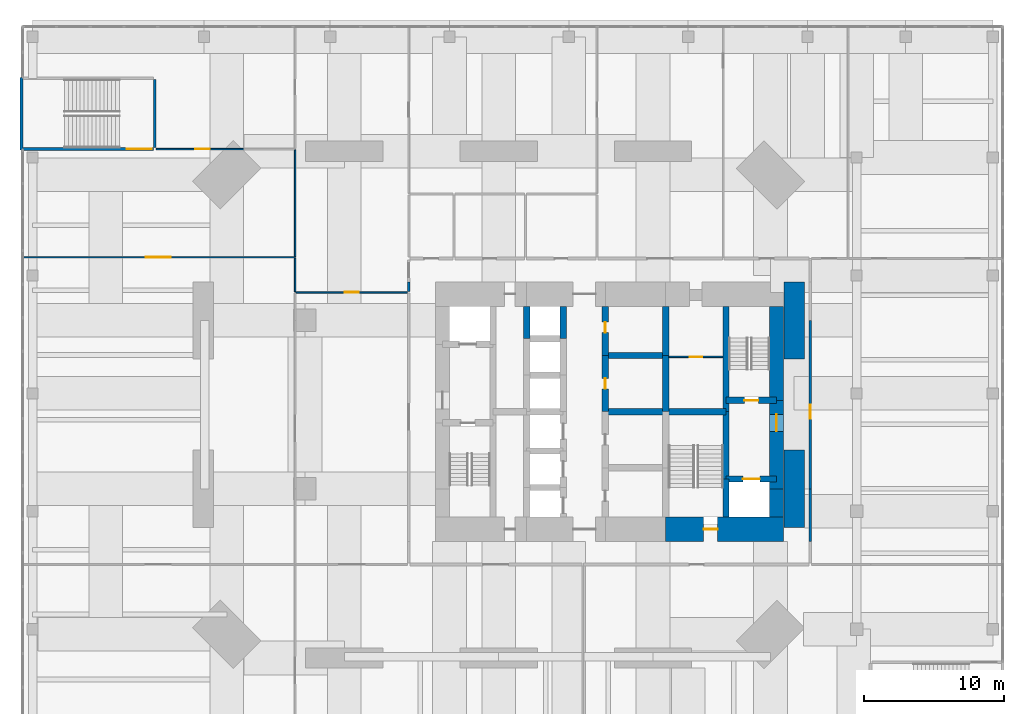
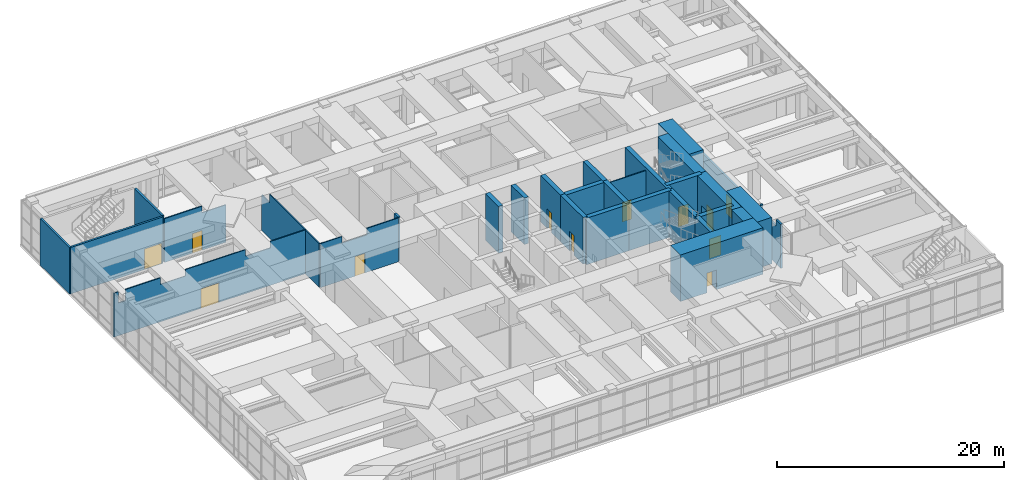
# One storey, part 20 of 24: 32 walls, 12 doors, 12 openings.
"""IFC4 building model written with IfcOpenShell, lengths in metres."""

from ifc_helpers import new_model, si_unit, direction, frame, frame_2d, origin, place, context, subcontext, project, spatial, polyline, rectangle, outline, extrude, material, layer, layer_set, constituent, constituent_set, type_object, element, fill, save


model = new_model("IFC4")

# Units and contexts
model_context = context("Model", 3, precision=1e-05, world=origin(), true_north=direction((0.0, 1.0)))
body_context = subcontext(model_context, "Body", "Model", "MODEL_VIEW")
ifc_project = project(units=[si_unit("LENGTHUNIT", "METRE"), si_unit("AREAUNIT", "SQUARE_METRE"), si_unit("VOLUMEUNIT", "CUBIC_METRE"), si_unit("PLANEANGLEUNIT", "RADIAN"), si_unit("MASSUNIT", "GRAM", prefix="KILO")], contexts=[model_context])

# Site, building, storey
site_placement = place(None, origin())
site = spatial("IfcSite", under=ifc_project, at=site_placement, CompositionType="ELEMENT")
building_placement = place(site_placement, origin())
building = spatial("IfcBuilding", under=site, at=building_placement, Name="Jalousie Tower", CompositionType="ELEMENT")
storey_placement = place(building_placement, frame((0.0, 0.0, 11.0)))
storey = spatial("IfcBuildingStorey", under=building, at=storey_placement, Name="L02", CompositionType="ELEMENT", Elevation=11.0)

# Wall
ifc_material_1 = material(Name="Concrete f'c 120 MPa", Category="concrete")
ifc_layer_1 = layer(ifc_material_1, 1.0)
ifc_layer_set_1 = layer_set([ifc_layer_1], Name="Concrete f'c 120 MPa")
wall_type_1 = type_object("IfcWallType", Name="CORE WALL 1000", PredefinedType="SHEAR", material=ifc_layer_set_1)
wall_1_placement = place(storey_placement, frame((43.800048828125, 11.0, 0.0), z_axis=(0.0, 0.0, 1.0), x_axis=(0.0, 1.0, 0.0)))
element("IfcWall", 1, at=wall_1_placement, inside=storey, type_object=wall_type_1, Name="Core wall EA L02", PredefinedType="SHEAR", context=body_context, shape_type="SweptSolid", body=[
    extrude(rectangle(XDim=2.0, YDim=1.0, at=frame_2d((1.0, 0.0))), origin(), (0.0, 0.0, 1.0), 5.0),
])

# Wall, opening, door
wall_2_placement = place(storey_placement, frame((43.800048828125, 13.0, 0.0), z_axis=(0.0, 0.0, 1.0), x_axis=(0.0, 1.0, 0.0)))
wall_2 = element("IfcWall", 2, at=wall_2_placement, inside=storey, type_object=wall_type_1, Name="Core wall EB L02", PredefinedType="SHEAR", context=body_context, shape_type="SweptSolid", body=[
    extrude(rectangle(XDim=6.300048828125, YDim=1.0, at=frame_2d((3.14990234375, 0.0))), origin(), (0.0, 0.0, 1.0), 5.0),
])
opening_1_placement = place(wall_2_placement, frame((4.10009765625, 0.0, 0.0)))
opening_1 = element("IfcOpeningElement", 3, at=opening_1_placement, cuts=wall_2, Name="Opening D11", PredefinedType="OPENING", context=body_context, shape_type="SweptSolid", body=[
    extrude(rectangle(XDim=1.199951171875, YDim=2.199951171875, at=frame_2d((0.60009765625, 1.10009765625))), frame((0.0, 0.510009765625, 0.0), z_axis=(0.0, -1.0, 0.0), x_axis=(1.0, 0.0, 0.0)), (0.0, 0.0, 1.0), 1.02001953125),
])
ifc_material_2 = material(Name="Steel fire door", Category="steel")
door_type_1 = type_object("IfcDoorType", Name="FIRE DOOR 1200", OperationType="SINGLE_SWING_LEFT", PredefinedType="DOOR", material=ifc_material_2)
door_1_placement = place(opening_1_placement, origin())
door_1 = element("IfcDoor", 4, at=door_1_placement, inside=storey, type_object=door_type_1, Name="Fire-fighting lobby B door", OperationType="SINGLE_SWING_RIGHT", OverallHeight=2.199951171875, OverallWidth=1.199951171875, PredefinedType="DOOR", context=body_context, shape_type="SweptSolid", body=[
    extrude(rectangle(XDim=1.199951171875, YDim=2.199951171875, at=frame_2d((0.60009765625, 1.10009765625))), frame((0.0, 0.02490234375, 0.0), z_axis=(0.0, -1.0, 0.0), x_axis=(1.0, 0.0, 0.0)), (0.0, 0.0, 1.0), 0.050048828125),
])
fill(opening_1, door_1)

# Wall
wall_3_placement = place(storey_placement, frame((43.800048828125, 19.300048828125, 0.0), z_axis=(0.0, 0.0, 1.0), x_axis=(0.0, 1.0, 0.0)))
element("IfcWall", 5, at=wall_3_placement, inside=storey, type_object=wall_type_1, Name="Core wall EC L02", PredefinedType="SHEAR", context=body_context, shape_type="SweptSolid", body=[
    extrude(rectangle(XDim=6.699951171875, YDim=1.0, at=frame_2d((3.35009765625, 0.0))), origin(), (0.0, 0.0, 1.0), 5.0),
])

# Wall, opening, door
ifc_material_3 = material(Name="Concrete f'c 120 MPa", Category="concrete")
ifc_layer_2 = layer(ifc_material_3, 1.75)
ifc_layer_set_2 = layer_set([ifc_layer_2], Name="Concrete f'c 120 MPa")
wall_type_2 = type_object("IfcWallType", Name="CORE WALL 1750", PredefinedType="SHEAR", material=ifc_layer_set_2)
wall_4_placement = place(storey_placement, frame((35.89990234375, 10.125, 0.0), z_axis=(0.0, 0.0, 1.0), x_axis=(1.0, 0.0, 0.0)))
wall_4 = element("IfcWall", 6, at=wall_4_placement, inside=storey, type_object=wall_type_2, Name="Core wall SD L02", PredefinedType="SHEAR", context=body_context, shape_type="SweptSolid", body=[
    extrude(rectangle(XDim=8.400146484375, YDim=1.75, at=frame_2d((4.2001953125, 0.0))), origin(), (0.0, 0.0, 1.0), 5.0),
])
opening_2_placement = place(wall_4_placement, frame((2.699951171875, 0.0, 0.0)))
opening_2 = element("IfcOpeningElement", 7, at=opening_2_placement, cuts=wall_4, Name="Opening D10", PredefinedType="OPENING", context=body_context, shape_type="SweptSolid", body=[
    extrude(rectangle(XDim=1.0, YDim=2.10009765625, at=frame_2d((0.5, 1.050048828125))), frame((0.0, 0.885009765625, 0.0), z_axis=(0.0, -1.0, 0.0), x_axis=(1.0, 0.0, 0.0)), (0.0, 0.0, 1.0), 1.77001953125),
])
ifc_material_4 = material(Name="Steel fire door", Category="steel")
door_type_2 = type_object("IfcDoorType", Name="STAIR DOOR 1000", OperationType="SINGLE_SWING_LEFT", PredefinedType="DOOR", material=ifc_material_4)
door_2_placement = place(opening_2_placement, origin())
door_2 = element("IfcDoor", 8, at=door_2_placement, inside=storey, type_object=door_type_2, Name="Exit stair C door", OperationType="SINGLE_SWING_RIGHT", OverallHeight=2.10009765625, OverallWidth=1.0, PredefinedType="DOOR", context=body_context, shape_type="SweptSolid", body=[
    extrude(rectangle(XDim=1.0, YDim=2.10009765625, at=frame_2d((0.5, 1.050048828125))), frame((0.0, 0.02490234375, 0.0), z_axis=(0.0, -1.0, 0.0), x_axis=(1.0, 0.0, 0.0)), (0.0, 0.0, 1.0), 0.050048828125),
])
fill(opening_2, door_2)

# Walls
ifc_material_5 = material(Name="Concrete f'c 120 MPa", Category="concrete")
ifc_layer_3 = layer(ifc_material_5, 0.449951171875)
ifc_layer_set_3 = layer_set([ifc_layer_3], Name="Concrete f'c 120 MPa")
wall_type_3 = type_object("IfcWallType", Name="CORE WALL 450", PredefinedType="SHEAR", material=ifc_layer_set_3)
for number, where, z_axis, x_axis, name in (
    (9, (26.0, 23.699951171875, 0.0), (0.0, 0.0, 1.0), (0.0, 1.0, 0.0), "Core wall X26F L02"),
    (10, (28.60009765625, 23.699951171875, 0.0), (0.0, 0.0, 1.0), (0.0, 1.0, 0.0), "Core wall X28.6F L02"),
):
    element("IfcWall", number, at=place(storey_placement, frame(where, z_axis=z_axis, x_axis=x_axis)), inside=storey, type_object=wall_type_3, Name=name, PredefinedType="SHEAR", context=body_context, shape_type="SweptSolid", body=[
        extrude(rectangle(XDim=2.300048828125, YDim=0.449951171875, at=frame_2d((1.14990234375, 0.0))), origin(), (0.0, 0.0, 1.0), 5.0),
    ])

# Wall, opening, door
wall_5_placement = place(storey_placement, frame((31.60009765625, 18.5, 0.0), z_axis=(0.0, 0.0, 1.0), x_axis=(0.0, 1.0, 0.0)))
wall_5 = element("IfcWall", 11, at=wall_5_placement, inside=storey, type_object=wall_type_3, Name="Core wall X31.6C L02", PredefinedType="SHEAR", context=body_context, shape_type="SweptSolid", body=[
    extrude(rectangle(XDim=4.0, YDim=0.449951171875, at=frame_2d((2.0, 0.0))), origin(), (0.0, 0.0, 1.0), 5.0),
])
opening_3_placement = place(wall_5_placement, frame((1.625, 0.0, 0.0)))
opening_3 = element("IfcOpeningElement", 12, at=opening_3_placement, cuts=wall_5, Name="Opening D16", PredefinedType="OPENING", context=body_context, shape_type="SweptSolid", body=[
    extrude(rectangle(XDim=0.75, YDim=2.10009765625, at=frame_2d((0.375, 1.050048828125))), frame((0.0, 0.23486328125, 0.0), z_axis=(0.0, -1.0, 0.0), x_axis=(1.0, 0.0, 0.0)), (0.0, 0.0, 1.0), 0.469970703125),
])
ifc_material_6 = material(Name="Steel fire door", Category="steel")
door_type_3 = type_object("IfcDoorType", Name="RISER DOOR 750", OperationType="SINGLE_SWING_LEFT", PredefinedType="DOOR", material=ifc_material_6)
door_3_placement = place(opening_3_placement, frame((0.75, 0.0, 0.0), z_axis=(0.0, 0.0, 1.0), x_axis=(-1.0, 0.0, 0.0)))
door_3 = element("IfcDoor", 13, at=door_3_placement, inside=storey, type_object=door_type_3, Name="Telecom Room door", OperationType="SINGLE_SWING_RIGHT", OverallHeight=2.10009765625, OverallWidth=0.75, PredefinedType="DOOR", context=body_context, shape_type="SweptSolid", body=[
    extrude(rectangle(XDim=0.75, YDim=2.10009765625, at=frame_2d((0.375, 1.050048828125))), frame((0.0, 0.02490234375, 0.0), z_axis=(0.0, -1.0, 0.0), x_axis=(1.0, 0.0, 0.0)), (0.0, 0.0, 1.0), 0.050048828125),
])
fill(opening_3, door_3)

wall_6_placement = place(storey_placement, frame((31.60009765625, 22.5, 0.0), z_axis=(0.0, 0.0, 1.0), x_axis=(0.0, 1.0, 0.0)))
wall_6 = element("IfcWall", 14, at=wall_6_placement, inside=storey, type_object=wall_type_3, Name="Core wall X31.6D L02", PredefinedType="SHEAR", context=body_context, shape_type="SweptSolid", body=[
    extrude(rectangle(XDim=3.5, YDim=0.449951171875, at=frame_2d((1.75, 0.0))), origin(), (0.0, 0.0, 1.0), 5.0),
])
opening_4_placement = place(wall_6_placement, frame((1.625, 0.0, 0.0)))
opening_4 = element("IfcOpeningElement", 15, at=opening_4_placement, cuts=wall_6, Name="Opening D16", PredefinedType="OPENING", context=body_context, shape_type="SweptSolid", body=[
    extrude(rectangle(XDim=0.75, YDim=2.10009765625, at=frame_2d((0.375, 1.050048828125))), frame((0.0, 0.23486328125, 0.0), z_axis=(0.0, -1.0, 0.0), x_axis=(1.0, 0.0, 0.0)), (0.0, 0.0, 1.0), 0.469970703125),
])
door_4_placement = place(opening_4_placement, frame((0.75, 0.0, 0.0), z_axis=(0.0, 0.0, 1.0), x_axis=(-1.0, 0.0, 0.0)))
door_4 = element("IfcDoor", 16, at=door_4_placement, inside=storey, type_object=door_type_3, Name="Water Services Room door", OperationType="SINGLE_SWING_LEFT", OverallHeight=2.10009765625, OverallWidth=0.75, PredefinedType="DOOR", context=body_context, shape_type="SweptSolid", body=[
    extrude(rectangle(XDim=0.75, YDim=2.10009765625, at=frame_2d((0.375, 1.050048828125))), frame((0.0, 0.02490234375, 0.0), z_axis=(0.0, -1.0, 0.0), x_axis=(1.0, 0.0, 0.0)), (0.0, 0.0, 1.0), 0.050048828125),
])
fill(opening_4, door_4)

# Walls
wall_7_placement = place(storey_placement, frame((35.89990234375, 18.5, 0.0), z_axis=(0.0, 0.0, 1.0), x_axis=(0.0, 1.0, 0.0)))
element("IfcWall", 17, at=wall_7_placement, inside=storey, type_object=wall_type_3, Name="Core wall X35.9C L02", PredefinedType="SHEAR", context=body_context, shape_type="SweptSolid", body=[
    extrude(rectangle(XDim=4.0, YDim=0.449951171875, at=frame_2d((2.0, 0.0))), origin(), (0.0, 0.0, 1.0), 5.0),
])
wall_8_placement = place(storey_placement, frame((35.89990234375, 22.5, 0.0), z_axis=(0.0, 0.0, 1.0), x_axis=(0.0, 1.0, 0.0)))
element("IfcWall", 18, at=wall_8_placement, inside=storey, type_object=wall_type_3, Name="Core wall X35.9D L02", PredefinedType="SHEAR", context=body_context, shape_type="SweptSolid", body=[
    extrude(rectangle(XDim=3.5, YDim=0.449951171875, at=frame_2d((1.75, 0.0))), origin(), (0.0, 0.0, 1.0), 5.0),
])
wall_9_placement = place(storey_placement, frame((40.199951171875, 11.0, 0.0), z_axis=(0.0, 0.0, 1.0), x_axis=(0.0, 1.0, 0.0)))
element("IfcWall", 19, at=wall_9_placement, inside=storey, type_object=wall_type_3, Name="Core wall X40.2A L02", PredefinedType="SHEAR", context=body_context, shape_type="SweptSolid", body=[
    extrude(rectangle(XDim=2.699951171875, YDim=0.449951171875, at=frame_2d((1.35009765625, 0.0))), origin(), (0.0, 0.0, 1.0), 5.0),
])
wall_10_placement = place(storey_placement, frame((40.199951171875, 13.699951171875, 0.0), z_axis=(0.0, 0.0, 1.0), x_axis=(0.0, 1.0, 0.0)))
element("IfcWall", 20, at=wall_10_placement, inside=storey, type_object=wall_type_3, Name="Core wall X40.2B L02", PredefinedType="SHEAR", context=body_context, shape_type="SweptSolid", body=[
    extrude(rectangle(XDim=4.800048828125, YDim=0.449951171875, at=frame_2d((2.39990234375, 0.0))), origin(), (0.0, 0.0, 1.0), 5.0),
])
wall_11_placement = place(storey_placement, frame((40.199951171875, 18.5, 0.0), z_axis=(0.0, 0.0, 1.0), x_axis=(0.0, 1.0, 0.0)))
element("IfcWall", 21, at=wall_11_placement, inside=storey, type_object=wall_type_3, Name="Core wall X40.2C L02", PredefinedType="SHEAR", context=body_context, shape_type="SweptSolid", body=[
    extrude(rectangle(XDim=7.5, YDim=0.449951171875, at=frame_2d((3.75, 0.0))), origin(), (0.0, 0.0, 1.0), 5.0),
])
for number, where, z_axis, x_axis, name in (
    (22, (31.60009765625, 18.5, 0.0), (0.0, 0.0, 1.0), (1.0, 0.0, 0.0), "Core wall Y31.6-18.5 L02"),
    (23, (31.60009765625, 22.5, 0.0), (0.0, 0.0, 1.0), (1.0, 0.0, 0.0), "Core wall Y31.6-22.5 L02"),
):
    element("IfcWall", number, at=place(storey_placement, frame(where, z_axis=z_axis, x_axis=x_axis)), inside=storey, type_object=wall_type_3, Name=name, PredefinedType="SHEAR", context=body_context, shape_type="SweptSolid", body=[
        extrude(rectangle(XDim=4.2998046875, YDim=0.449951171875, at=frame_2d((2.14990234375, 0.0))), origin(), (0.0, 0.0, 1.0), 5.0),
    ])
wall_12_placement = place(storey_placement, frame((35.89990234375, 18.5, 0.0), z_axis=(0.0, 0.0, 1.0), x_axis=(1.0, 0.0, 0.0)))
element("IfcWall", 24, at=wall_12_placement, inside=storey, type_object=wall_type_3, Name="Core wall Y35.9-18.5 L02", PredefinedType="SHEAR", context=body_context, shape_type="SweptSolid", body=[
    extrude(rectangle(XDim=4.300048828125, YDim=0.449951171875, at=frame_2d((2.14990234375, 0.0))), origin(), (0.0, 0.0, 1.0), 5.0),
])

# Wall, opening, door
wall_13_placement = place(storey_placement, frame((40.199951171875, 13.699951171875, 0.0), z_axis=(0.0, 0.0, 1.0), x_axis=(1.0, 0.0, 0.0)))
wall_13 = element("IfcWall", 25, at=wall_13_placement, inside=storey, type_object=wall_type_3, Name="Core wall Y40.2-13.7 L02", PredefinedType="SHEAR", context=body_context, shape_type="SweptSolid", body=[
    extrude(rectangle(XDim=3.60009765625, YDim=0.449951171875, at=frame_2d((1.800048828125, 0.0))), origin(), (0.0, 0.0, 1.0), 5.0),
])
opening_5_placement = place(wall_13_placement, frame((1.199951171875, 0.0, 0.0)))
opening_5 = element("IfcOpeningElement", 26, at=opening_5_placement, cuts=wall_13, Name="Opening LD2", PredefinedType="OPENING", context=body_context, shape_type="SweptSolid", body=[
    extrude(rectangle(XDim=1.199951171875, YDim=2.10009765625, at=frame_2d((0.60009765625, 1.050048828125))), frame((0.0, 0.23486328125, 0.0), z_axis=(0.0, -1.0, 0.0), x_axis=(1.0, 0.0, 0.0)), (0.0, 0.0, 1.0), 0.469970703125),
])
ifc_material_7 = material(Name="Steel lift landing door", Category="steel")
door_type_4 = type_object("IfcDoorType", Name="LIFT LANDING DOOR 1200", OperationType="SLIDING_TO_LEFT", PredefinedType="DOOR", material=ifc_material_7)
door_5_placement = place(opening_5_placement, origin())
door_5 = element("IfcDoor", 27, at=door_5_placement, inside=storey, type_object=door_type_4, Name="Lift F2 landing door", OperationType="SLIDING_TO_LEFT", OverallHeight=2.10009765625, OverallWidth=1.199951171875, PredefinedType="DOOR", context=body_context, shape_type="SweptSolid", body=[
    extrude(rectangle(XDim=1.199951171875, YDim=2.10009765625, at=frame_2d((0.60009765625, 1.050048828125))), frame((0.0, 0.02490234375, 0.0), z_axis=(0.0, -1.0, 0.0), x_axis=(1.0, 0.0, 0.0)), (0.0, 0.0, 1.0), 0.050048828125),
])
fill(opening_5, door_5)

wall_14_placement = place(storey_placement, frame((40.199951171875, 19.300048828125, 0.0), z_axis=(0.0, 0.0, 1.0), x_axis=(1.0, 0.0, 0.0)))
wall_14 = element("IfcWall", 28, at=wall_14_placement, inside=storey, type_object=wall_type_3, Name="Core wall Y40.2-19.3 L02", PredefinedType="SHEAR", context=body_context, shape_type="SweptSolid", body=[
    extrude(rectangle(XDim=3.60009765625, YDim=0.449951171875, at=frame_2d((1.800048828125, 0.0))), origin(), (0.0, 0.0, 1.0), 5.0),
])
opening_6_placement = place(wall_14_placement, frame((1.300048828125, 0.0, 0.0)))
opening_6 = element("IfcOpeningElement", 29, at=opening_6_placement, cuts=wall_14, Name="Opening D10", PredefinedType="OPENING", context=body_context, shape_type="SweptSolid", body=[
    extrude(rectangle(XDim=1.0, YDim=2.10009765625, at=frame_2d((0.5, 1.050048828125))), frame((0.0, 0.23486328125, 0.0), z_axis=(0.0, -1.0, 0.0), x_axis=(1.0, 0.0, 0.0)), (0.0, 0.0, 1.0), 0.469970703125),
])
door_6_placement = place(opening_6_placement, origin())
door_6 = element("IfcDoor", 30, at=door_6_placement, inside=storey, type_object=door_type_2, Name="Exit stair B door", OperationType="SINGLE_SWING_RIGHT", OverallHeight=2.10009765625, OverallWidth=1.0, PredefinedType="DOOR", context=body_context, shape_type="SweptSolid", body=[
    extrude(rectangle(XDim=1.0, YDim=2.10009765625, at=frame_2d((0.5, 1.050048828125))), frame((0.0, 0.02490234375, 0.0), z_axis=(0.0, -1.0, 0.0), x_axis=(1.0, 0.0, 0.0)), (0.0, 0.0, 1.0), 0.050048828125),
])
fill(opening_6, door_6)

# Walls
ifc_material_8 = material(Name="Concrete block ASTM C90", Category="concrete")
ifc_constituent_1 = constituent(ifc_material_8, Name="Body")
ifc_material_9 = material(Name="Render")
ifc_constituent_2 = constituent(ifc_material_9, Name="Finish")
ifc_constituent_set_1 = constituent_set(constituents=[ifc_constituent_1, ifc_constituent_2])
wall_type_4 = type_object("IfcWallType", Name="CORRIDOR WALL 200", PredefinedType="PARTITIONING", material=ifc_constituent_set_1)
wall_15_placement = place(storey_placement, frame((17.60009765625, 27.050048828125, 0.0), z_axis=(0.0, 0.0, 1.0), x_axis=(0.0, 1.0, 0.0)))
element("IfcWall", 31, at=wall_15_placement, inside=storey, type_object=wall_type_4, Name="Corridor Wall 200 L02", PredefinedType="PARTITIONING", context=body_context, shape_type="SweptSolid", body=[
    extrude(rectangle(XDim=0.699951171875, YDim=0.199951171875, at=frame_2d((0.35009765625, 0.0))), origin(), (0.0, 0.0, 1.0), 4.719970703125),
])
wall_16_placement = place(storey_placement, frame((46.199951171875, 9.25, 0.0), z_axis=(0.0, 0.0, 1.0), x_axis=(0.0, 1.0, 0.0)))
element("IfcWall", 32, at=wall_16_placement, inside=storey, type_object=wall_type_4, Name="Corridor Wall 200 L02-A", PredefinedType="PARTITIONING", context=body_context, shape_type="SweptSolid", body=[
    extrude(outline(polyline([(0.0, 0.0), (3.75, 0.0), (3.75, 4.02001953125), (3.639892578125, 4.02001953125), (3.639892578125, 4.719970703125), (3.4599609375, 4.719970703125), (3.4599609375, 4.02001953125), (0.840087890625, 4.02001953125), (0.840087890625, 4.719970703125), (0.0, 4.719970703125), (0.0, 0.0)])), frame((0.0, 0.10009765625, 0.0), z_axis=(0.0, -1.0, 0.0), x_axis=(1.0, 0.0, 0.0)), (0.0, 0.0, 1.0), 0.199951171875),
])

# Wall, opening, door
wall_17_placement = place(storey_placement, frame((46.199951171875, 13.0, 0.0), z_axis=(0.0, 0.0, 1.0), x_axis=(0.0, 1.0, 0.0)))
wall_17 = element("IfcWall", 33, at=wall_17_placement, inside=storey, type_object=wall_type_4, Name="Corridor Wall 200 L02-B", PredefinedType="PARTITIONING", context=body_context, shape_type="SweptSolid", body=[
    extrude(rectangle(XDim=12.0, YDim=0.199951171875, at=frame_2d((6.0, 0.0))), origin(), (0.0, 0.0, 1.0), 4.02001953125),
])
opening_7_placement = place(wall_17_placement, frame((5.0, 0.0, 0.0)))
opening_7 = element("IfcOpeningElement", 34, at=opening_7_placement, cuts=wall_17, Name="Opening D21", PredefinedType="OPENING", context=body_context, shape_type="SweptSolid", body=[
    extrude(rectangle(XDim=1.0, YDim=2.10009765625, at=frame_2d((0.5, 1.050048828125))), frame((0.0, 0.10986328125, 0.0), z_axis=(0.0, -1.0, 0.0), x_axis=(1.0, 0.0, 0.0)), (0.0, 0.0, 1.0), 0.219970703125),
])
ifc_material_10 = material(Name="Timber fire door", Category="wood")
door_type_5 = type_object("IfcDoorType", Name="CORRIDOR DOOR 1000", OperationType="SINGLE_SWING_LEFT", PredefinedType="DOOR", material=ifc_material_10)
door_7_placement = place(opening_7_placement, frame((1.0, 0.0, 0.0), z_axis=(0.0, 0.0, 1.0), x_axis=(-1.0, 0.0, 0.0)))
door_7 = element("IfcDoor", 35, at=door_7_placement, inside=storey, type_object=door_type_5, Name="Children's activity room door", OperationType="SINGLE_SWING_RIGHT", OverallHeight=2.10009765625, OverallWidth=1.0, PredefinedType="DOOR", context=body_context, shape_type="SweptSolid", body=[
    extrude(rectangle(XDim=1.0, YDim=2.10009765625, at=frame_2d((0.5, 1.050048828125))), frame((0.0, 0.02490234375, 0.0), z_axis=(0.0, -1.0, 0.0), x_axis=(1.0, 0.0, 0.0)), (0.0, 0.0, 1.0), 0.050048828125),
])
fill(opening_7, door_7)

ifc_material_11 = material(Name="Gypsum board", Category="gypsum")
ifc_constituent_3 = constituent(ifc_material_11, Name="Body")
ifc_material_12 = material(Name="Light-gauge steel studs ASTM A653 SS Grade 33", Category="steel")
ifc_constituent_4 = constituent(ifc_material_12, Name="Framing")
ifc_constituent_set_2 = constituent_set(constituents=[ifc_constituent_3, ifc_constituent_4])
wall_type_5 = type_object("IfcWallType", Name="PARTITION 100", PredefinedType="PARTITIONING", material=ifc_constituent_set_2)
wall_18_placement = place(storey_placement, frame((-10.0, 29.5, 0.0), z_axis=(0.0, 0.0, 1.0), x_axis=(1.0, 0.0, 0.0)))
wall_18 = element("IfcWall", 36, at=wall_18_placement, inside=storey, type_object=wall_type_5, Name="Partition 100 L02", PredefinedType="PARTITIONING", context=body_context, shape_type="SweptSolid", body=[
    extrude(outline(polyline([(0.0, 0.0), (19.449951171875, 0.0), (19.449951171875, 4.719970703125), (15.891357421875, 4.719970703125), (15.891357421875, 4.02001953125), (13.371337890625, 4.02001953125), (13.371337890625, 4.719970703125), (7.260009765625, 4.719970703125), (7.260009765625, 4.02001953125), (4.739990234375, 4.02001953125), (4.739990234375, 4.719970703125), (1.159912109375, 4.719970703125), (1.159912109375, 3.52001953125), (0.43994140625, 3.52001953125), (0.43994140625, 4.719970703125), (0.0, 4.719970703125), (0.0, 0.0)])), frame((0.0, 0.050048828125, 0.0), z_axis=(0.0, -1.0, 0.0), x_axis=(1.0, 0.0, 0.0)), (0.0, 0.0, 1.0), 0.10009765625),
])
opening_8_placement = place(wall_18_placement, frame((8.85009765625, 0.0, 0.0)))
opening_8 = element("IfcOpeningElement", 37, at=opening_8_placement, cuts=wall_18, Name="Opening D5", PredefinedType="OPENING", context=body_context, shape_type="SweptSolid", body=[
    extrude(rectangle(XDim=1.800048828125, YDim=2.10009765625, at=frame_2d((0.89990234375, 1.050048828125))), frame((0.0, 0.06005859375, 0.0), z_axis=(0.0, -1.0, 0.0), x_axis=(1.0, 0.0, 0.0)), (0.0, 0.0, 1.0), 0.1201171875),
])
ifc_material_13 = material(Name="Timber door", Category="wood")
door_type_6 = type_object("IfcDoorType", Name="DOUBLE DOOR 1800", OperationType="DOUBLE_DOOR_SINGLE_SWING", PredefinedType="DOOR", material=ifc_material_13)
door_8_placement = place(opening_8_placement, origin())
door_8 = element("IfcDoor", 38, at=door_8_placement, inside=storey, type_object=door_type_6, Name="Private dining room door", OperationType="DOUBLE_DOOR_SINGLE_SWING", OverallHeight=2.10009765625, OverallWidth=1.800048828125, PredefinedType="DOOR", context=body_context, shape_type="SweptSolid", body=[
    extrude(rectangle(XDim=1.800048828125, YDim=2.10009765625, at=frame_2d((0.89990234375, 1.050048828125))), frame((0.0, 0.02490234375, 0.0), z_axis=(0.0, -1.0, 0.0), x_axis=(1.0, 0.0, 0.0)), (0.0, 0.0, 1.0), 0.050048828125),
])
fill(opening_8, door_8)

# Wall
wall_19_placement = place(storey_placement, frame((9.5, 27.050048828125, 0.0), z_axis=(0.0, 0.0, 1.0), x_axis=(0.0, 1.0, 0.0)))
element("IfcWall", 39, at=wall_19_placement, inside=storey, type_object=wall_type_5, Name="Partition 100 L02", PredefinedType="PARTITIONING", context=body_context, shape_type="SweptSolid", body=[
    extrude(rectangle(XDim=2.39990234375, YDim=0.10009765625, at=frame_2d((1.199951171875, 0.0))), origin(), (0.0, 0.0, 1.0), 4.719970703125),
])

# Wall, opening, door
wall_20_placement = place(storey_placement, frame((-0.39990234375, 37.199951171875, 0.0), z_axis=(0.0, 0.0, 1.0), x_axis=(1.0, 0.0, 0.0)))
wall_20 = element("IfcWall", 40, at=wall_20_placement, inside=storey, type_object=wall_type_5, Name="Partition 100 L02-A", PredefinedType="PARTITIONING", context=body_context, shape_type="SweptSolid", body=[
    extrude(outline(polyline([(0.0, 0.0), (6.2490234375, 0.0), (6.2490234375, 4.02001953125), (3.771484375, 4.02001953125), (3.771484375, 4.719970703125), (0.0, 4.719970703125), (0.0, 0.0)])), frame((0.0, 0.050048828125, 0.0), z_axis=(0.0, -1.0, 0.0), x_axis=(1.0, 0.0, 0.0)), (0.0, 0.0, 1.0), 0.10009765625),
])
opening_9_placement = place(wall_20_placement, frame((2.800048828125, 0.0, 0.0)))
opening_9 = element("IfcOpeningElement", 41, at=opening_9_placement, cuts=wall_20, Name="Opening D6", PredefinedType="OPENING", context=body_context, shape_type="SweptSolid", body=[
    extrude(rectangle(XDim=1.0, YDim=2.10009765625, at=frame_2d((0.5, 1.050048828125))), frame((0.0, 0.06005859375, 0.0), z_axis=(0.0, -1.0, 0.0), x_axis=(1.0, 0.0, 0.0)), (0.0, 0.0, 1.0), 0.1201171875),
])
ifc_material_14 = material(Name="Timber door", Category="wood")
door_type_7 = type_object("IfcDoorType", Name="INTERNAL DOOR 1000", OperationType="SINGLE_SWING_LEFT", PredefinedType="DOOR", material=ifc_material_14)
door_9_placement = place(opening_9_placement, frame((1.0, 0.0, 0.0), z_axis=(0.0, 0.0, 1.0), x_axis=(-1.0, 0.0, 0.0)))
door_9 = element("IfcDoor", 42, at=door_9_placement, inside=storey, type_object=door_type_7, Name="Card room door", OperationType="SINGLE_SWING_LEFT", OverallHeight=2.10009765625, OverallWidth=1.0, PredefinedType="DOOR", context=body_context, shape_type="SweptSolid", body=[
    extrude(rectangle(XDim=1.0, YDim=2.10009765625, at=frame_2d((0.5, 1.050048828125))), frame((0.0, 0.02490234375, 0.0), z_axis=(0.0, -1.0, 0.0), x_axis=(1.0, 0.0, 0.0)), (0.0, 0.0, 1.0), 0.050048828125),
])
fill(opening_9, door_9)

# Wall
wall_21_placement = place(storey_placement, frame((9.5, 29.550048828125, 0.0), z_axis=(0.0, 0.0, 1.0), x_axis=(0.0, 1.0, 0.0)))
element("IfcWall", 43, at=wall_21_placement, inside=storey, type_object=wall_type_5, Name="Partition 100 L02", PredefinedType="PARTITIONING", context=body_context, shape_type="SweptSolid", body=[
    extrude(outline(polyline([(0.0, 0.0), (7.599853515625, 0.0), (7.60009765625, 4.719970703125), (7.60009765625, 3.820068359375), (6.239990234375, 3.820068359375), (6.239990234375, 4.719970703125), (0.0, 4.719970703125), (0.0, 0.0)])), frame((0.0, 0.050048828125, 0.0), z_axis=(0.0, -1.0, 0.0), x_axis=(1.0, 0.0, 0.0)), (0.0, 0.0, 1.0), 0.10009765625),
])

# Wall, opening, door
wall_22_placement = place(storey_placement, frame((9.550048828125, 27.0, 0.0), z_axis=(0.0, 0.0, 1.0), x_axis=(1.0, 0.0, 0.0)))
wall_22 = element("IfcWall", 44, at=wall_22_placement, inside=storey, type_object=wall_type_5, Name="Partition 100 L02", PredefinedType="PARTITIONING", context=body_context, shape_type="SweptSolid", body=[
    extrude(outline(polyline([(0.0, 0.0), (7.949951171875, 0.0), (7.949951171875, 4.719970703125), (4.7099609375, 4.719970703125), (4.7099609375, 4.02001953125), (2.18994140625, 4.02001953125), (2.18994140625, 4.719970703125), (0.0, 4.719970703125), (0.0, 0.0)])), frame((0.0, 0.050048828125, 0.0), z_axis=(0.0, -1.0, 0.0), x_axis=(1.0, 0.0, 0.0)), (0.0, 0.0, 1.0), 0.10009765625),
])
opening_10_placement = place(wall_22_placement, frame((3.5, 0.0, 0.0)))
opening_10 = element("IfcOpeningElement", 45, at=opening_10_placement, cuts=wall_22, Name="Opening D6", PredefinedType="OPENING", context=body_context, shape_type="SweptSolid", body=[
    extrude(rectangle(XDim=1.0, YDim=2.10009765625, at=frame_2d((0.5, 1.050048828125))), frame((0.0, 0.06005859375, 0.0), z_axis=(0.0, -1.0, 0.0), x_axis=(1.0, 0.0, 0.0)), (0.0, 0.0, 1.0), 0.1201171875),
])
door_10_placement = place(opening_10_placement, origin())
door_10 = element("IfcDoor", 46, at=door_10_placement, inside=storey, type_object=door_type_7, Name="Reading room lounge door", OperationType="SINGLE_SWING_RIGHT", OverallHeight=2.10009765625, OverallWidth=1.0, PredefinedType="DOOR", context=body_context, shape_type="SweptSolid", body=[
    extrude(rectangle(XDim=1.0, YDim=2.10009765625, at=frame_2d((0.5, 1.050048828125))), frame((0.0, 0.02490234375, 0.0), z_axis=(0.0, -1.0, 0.0), x_axis=(1.0, 0.0, 0.0)), (0.0, 0.0, 1.0), 0.050048828125),
])
fill(opening_10, door_10)

wall_23_placement = place(storey_placement, frame((36.125, 22.39990234375, 0.0), z_axis=(0.0, 0.0, 1.0), x_axis=(1.0, 0.0, 0.0)))
wall_23 = element("IfcWall", 47, at=wall_23_placement, inside=storey, type_object=wall_type_5, Name="Partition 100 L02", PredefinedType="PARTITIONING", context=body_context, shape_type="SweptSolid", body=[
    extrude(rectangle(XDim=3.85009765625, YDim=0.10009765625, at=frame_2d((1.925048828125, 0.0))), origin(), (0.0, 0.0, 1.0), 4.719970703125),
])
opening_11_placement = place(wall_23_placement, frame((1.47509765625, 0.0, 0.0)))
opening_11 = element("IfcOpeningElement", 48, at=opening_11_placement, cuts=wall_23, Name="Opening D7", PredefinedType="OPENING", context=body_context, shape_type="SweptSolid", body=[
    extrude(rectangle(XDim=0.89990234375, YDim=2.10009765625, at=frame_2d((0.449951171875, 1.050048828125))), frame((0.0, 0.06005859375, 0.0), z_axis=(0.0, -1.0, 0.0), x_axis=(1.0, 0.0, 0.0)), (0.0, 0.0, 1.0), 0.1201171875),
])
ifc_material_15 = material(Name="Timber door", Category="wood")
door_type_8 = type_object("IfcDoorType", Name="INTERNAL DOOR 900", OperationType="SINGLE_SWING_LEFT", PredefinedType="DOOR", material=ifc_material_15)
door_11_placement = place(opening_11_placement, origin())
door_11 = element("IfcDoor", 49, at=door_11_placement, inside=storey, type_object=door_type_8, Name="Linen store door", OperationType="SINGLE_SWING_LEFT", OverallHeight=2.10009765625, OverallWidth=0.89990234375, PredefinedType="DOOR", context=body_context, shape_type="SweptSolid", body=[
    extrude(rectangle(XDim=0.89990234375, YDim=2.10009765625, at=frame_2d((0.449951171875, 1.050048828125))), frame((0.0, 0.02490234375, 0.0), z_axis=(0.0, -1.0, 0.0), x_axis=(1.0, 0.0, 0.0)), (0.0, 0.0, 1.0), 0.050048828125),
])
fill(opening_11, door_11)

# Walls
ifc_material_16 = material(Name="Concrete f'c 120 MPa", Category="concrete")
ifc_layer_4 = layer(ifc_material_16, 1.449951171875)
ifc_layer_set_4 = layer_set([ifc_layer_4], Name="Concrete f'c 120 MPa")
wall_type_6 = type_object("IfcWallType", Name="RC WALL PIER 1450", PredefinedType="SHEAR", material=ifc_layer_set_4)
for number, where, z_axis, x_axis, name in (
    (50, (45.050048828125, 10.25, 0.0), (0.0, 0.0, 1.0), (0.0, 1.0, 0.0), "Wall pier 06 L02"),
    (51, (45.050048828125, 22.25, 0.0), (0.0, 0.0, 1.0), (0.0, 1.0, 0.0), "Wall pier 07 L02"),
):
    element("IfcWall", number, at=place(storey_placement, frame(where, z_axis=z_axis, x_axis=x_axis)), inside=storey, type_object=wall_type_6, Name=name, PredefinedType="SHEAR", context=body_context, shape_type="SweptSolid", body=[
        extrude(rectangle(XDim=5.5, YDim=1.449951171875, at=frame_2d((2.75, 0.0))), origin(), (0.0, 0.0, 1.0), 5.0),
    ])
ifc_material_17 = material(Name="Concrete block ASTM C90", Category="concrete")
ifc_constituent_5 = constituent(ifc_material_17, Name="Body")
ifc_material_18 = material(Name="Render")
ifc_constituent_6 = constituent(ifc_material_18, Name="Finish")
ifc_constituent_set_3 = constituent_set(constituents=[ifc_constituent_5, ifc_constituent_6])
wall_type_7 = type_object("IfcWallType", Name="STAIR WALL 200", PredefinedType="SOLIDWALL", material=ifc_constituent_set_3)
wall_24_placement = place(storey_placement, frame((-10.0, 42.300048828125, 0.0), z_axis=(0.0, 0.0, 1.0), x_axis=(0.0, -1.0, 0.0)))
element("IfcWall", 52, at=wall_24_placement, inside=storey, type_object=wall_type_7, Name="Stair Wall 200 L02", PredefinedType="SOLIDWALL", context=body_context, shape_type="SweptSolid", body=[
    extrude(rectangle(XDim=5.150146484375, YDim=0.199951171875, at=frame_2d((2.5751953125, 0.0))), origin(), (0.0, 0.0, 1.0), 5.0),
])

# Wall, opening, door
wall_25_placement = place(storey_placement, frame((-10.0, 37.199951171875, 0.0), z_axis=(0.0, 0.0, 1.0), x_axis=(1.0, 0.0, 0.0)))
wall_25 = element("IfcWall", 53, at=wall_25_placement, inside=storey, type_object=wall_type_7, Name="Stair Wall 200 L02", PredefinedType="SOLIDWALL", context=body_context, shape_type="SweptSolid", body=[
    extrude(rectangle(XDim=9.39990234375, YDim=0.199951171875, at=frame_2d((4.699951171875, 0.0))), origin(), (0.0, 0.0, 1.0), 5.0),
])
opening_12_placement = place(wall_25_placement, frame((7.5, 0.0, 0.0)))
opening_12 = element("IfcOpeningElement", 54, at=opening_12_placement, cuts=wall_25, Name="Opening D17", PredefinedType="OPENING", context=body_context, shape_type="SweptSolid", body=[
    extrude(rectangle(XDim=1.800048828125, YDim=2.199951171875, at=frame_2d((0.89990234375, 1.10009765625))), frame((0.0, 0.10986328125, 0.0), z_axis=(0.0, -1.0, 0.0), x_axis=(1.0, 0.0, 0.0)), (0.0, 0.0, 1.0), 0.219970703125),
])
ifc_material_19 = material(Name="Steel fire door", Category="steel")
door_type_9 = type_object("IfcDoorType", Name="STAIR DOOR 1800", OperationType="DOUBLE_DOOR_SINGLE_SWING", PredefinedType="DOOR", material=ifc_material_19)
door_12_placement = place(opening_12_placement, origin())
door_12 = element("IfcDoor", 55, at=door_12_placement, inside=storey, type_object=door_type_9, Name="Stair PS1 door", OperationType="DOUBLE_DOOR_SINGLE_SWING", OverallHeight=2.199951171875, OverallWidth=1.800048828125, PredefinedType="DOOR", context=body_context, shape_type="SweptSolid", body=[
    extrude(rectangle(XDim=1.800048828125, YDim=2.199951171875, at=frame_2d((0.89990234375, 1.10009765625))), frame((0.0, 0.02490234375, 0.0), z_axis=(0.0, -1.0, 0.0), x_axis=(1.0, 0.0, 0.0)), (0.0, 0.0, 1.0), 0.050048828125),
])
fill(opening_12, door_12)

# Wall
wall_26_placement = place(storey_placement, frame((-0.5, 37.300048828125, 0.0), z_axis=(0.0, 0.0, 1.0), x_axis=(0.0, 1.0, 0.0)))
element("IfcWall", 56, at=wall_26_placement, inside=storey, type_object=wall_type_7, Name="Stair Wall 200 L02", PredefinedType="SOLIDWALL", context=body_context, shape_type="SweptSolid", body=[
    extrude(rectangle(XDim=4.849853515625, YDim=0.199951171875, at=frame_2d((2.4248046875, 0.0))), origin(), (0.0, 0.0, 1.0), 5.0),
])

save(model, "model.ifc")
